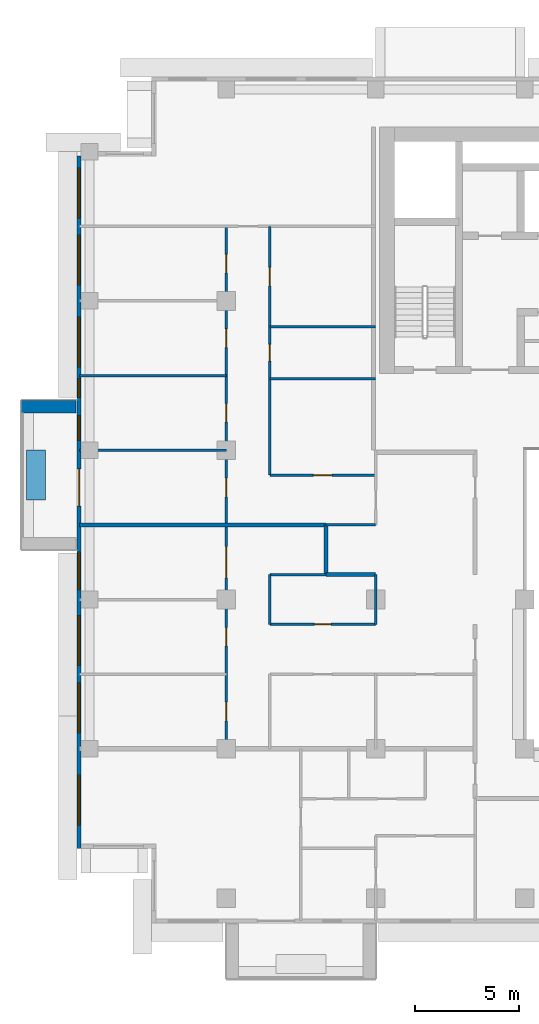
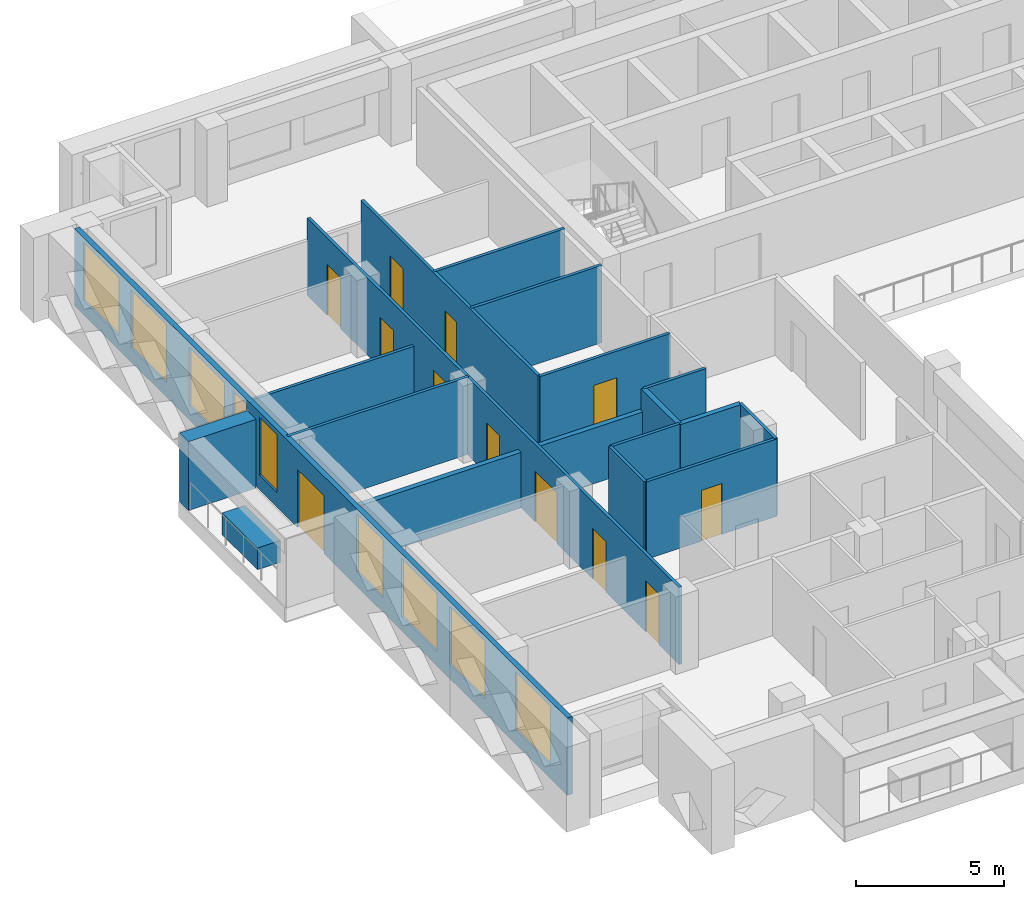
# One storey, part 7 of 20: 18 walls, 12 doors, 9 windows, 21 openings.
"""IFC4 building model written with IfcOpenShell, lengths in metres."""

from ifc_helpers import new_model, si_unit, direction, frame, frame_2d, origin, place, context, subcontext, project, spatial, rectangle, extrude, material, layer, layer_set, type_object, element, fill, save


model = new_model("IFC4")

# Units and contexts
model_context = context("Model", 3, precision=1e-05, world=origin(), true_north=direction((0.0, 1.0)))
body_context = subcontext(model_context, "Body", "Model", "MODEL_VIEW")
ifc_project = project(units=[si_unit("LENGTHUNIT", "METRE"), si_unit("AREAUNIT", "SQUARE_METRE"), si_unit("VOLUMEUNIT", "CUBIC_METRE"), si_unit("PLANEANGLEUNIT", "RADIAN"), si_unit("MASSUNIT", "GRAM", prefix="KILO")], contexts=[model_context])

# Site, building, storey
site_placement = place(None, origin())
site = spatial("IfcSite", under=ifc_project, at=site_placement, CompositionType="ELEMENT")
building_placement = place(site_placement, origin())
building = spatial("IfcBuilding", under=site, at=building_placement, Name="Saffron Iwan Residences", CompositionType="ELEMENT")
storey_placement = place(building_placement, frame((0.0, 0.0, 188.5)))
storey = spatial("IfcBuildingStorey", under=building, at=storey_placement, Name="L50", CompositionType="ELEMENT", Elevation=188.5)

# Walls
ifc_material_1 = material(Name="Concrete C50/60 white painted", Category="concrete")
ifc_layer_1 = layer(ifc_material_1, 0.60009765625)
ifc_layer_set_1 = layer_set([ifc_layer_1], Name="Concrete C50/60 white painted")
wall_type_1 = type_object("IfcWallType", Name="BALCONY FIN 600", PredefinedType="SOLIDWALL", material=ifc_layer_set_1)
wall_1_placement = place(storey_placement, frame((14.35009765625, 64.5, 0.0), z_axis=(0.0, 0.0, 1.0), x_axis=(-1.0, 0.0, 0.0)))
element("IfcWall", 1, at=wall_1_placement, inside=storey, type_object=wall_type_1, Name="Balcony fin L50 F8-0a", PredefinedType="SOLIDWALL", context=body_context, shape_type="SweptSolid", body=[
    extrude(rectangle(XDim=2.650146484375, YDim=0.60009765625, at=frame_2d((1.3251953125, 0.0))), origin(), (0.0, 0.0, 1.0), 2.85009765625),
])
ifc_material_2 = material(Name="Concrete C35/45 white painted", Category="concrete")
ifc_layer_2 = layer(ifc_material_2, 0.14990234375)
ifc_layer_set_2 = layer_set([ifc_layer_2], Name="Concrete C35/45 white painted")
wall_type_2 = type_object("IfcWallType", Name="BALCONY PLANTER", PredefinedType="SOLIDWALL", material=ifc_layer_set_2)
wall_2_placement = place(storey_placement, frame((12.425048828125, 62.39990234375, 0.0), z_axis=(0.0, 0.0, 1.0), x_axis=(0.0, -1.0, 0.0)))
element("IfcWall", 2, at=wall_2_placement, inside=storey, type_object=wall_type_2, Name="PLANTER L50 F8-0", PredefinedType="SOLIDWALL", context=body_context, shape_type="SweptSolid", body=[
    extrude(rectangle(XDim=2.39990234375, YDim=0.89990234375, at=frame_2d((1.199951171875, 0.0))), origin(), (0.0, 0.0, 1.0), 0.89990234375),
])

# Wall, openings, door, windows
ifc_material_3 = material(Name="Concrete C40/50", Category="concrete")
ifc_layer_3 = layer(ifc_material_3, 0.199951171875)
ifc_layer_set_3 = layer_set([ifc_layer_3], Name="Concrete C40/50")
wall_type_3 = type_object("IfcWallType", Name="EXTERNAL WALL 200", PredefinedType="SOLIDWALL", material=ifc_layer_set_3)
wall_3_placement = place(storey_placement, frame((14.5, 76.60009765625, 0.0), z_axis=(0.0, 0.0, 1.0), x_axis=(0.0, -1.0, 0.0)))
wall_3 = element("IfcWall", 3, at=wall_3_placement, inside=storey, type_object=wall_type_3, Name="External wall L50 F8.0", PredefinedType="SOLIDWALL", context=body_context, shape_type="SweptSolid", body=[
    extrude(rectangle(XDim=33.400146484375, YDim=0.199951171875, at=frame_2d((16.7001953125, 0.0))), origin(), (0.0, 0.0, 1.0), 3.199951171875),
])
opening_1_placement = place(wall_3_placement, frame((15.10009765625, 0.0, 0.0)))
opening_1 = element("IfcOpeningElement", 4, at=opening_1_placement, cuts=wall_3, Name="Opening BD1", PredefinedType="OPENING", context=body_context, shape_type="SweptSolid", body=[
    extrude(rectangle(XDim=1.800048828125, YDim=2.39990234375, at=frame_2d((0.89990234375, 1.199951171875))), frame((0.0, 0.10986328125, 0.0), z_axis=(0.0, -1.0, 0.0), x_axis=(1.0, 0.0, 0.0)), (0.0, 0.0, 1.0), 0.219970703125),
])
opening_2_placement = place(wall_3_placement, frame((29.875, 0.0, 0.60009765625)))
opening_2 = element("IfcOpeningElement", 5, at=opening_2_placement, cuts=wall_3, Name="Opening W1", PredefinedType="OPENING", context=body_context, shape_type="SweptSolid", body=[
    extrude(rectangle(XDim=2.39990234375, YDim=2.39990234375, at=frame_2d((1.199951171875, 1.199951171875))), frame((0.0, 0.10986328125, 0.0), z_axis=(0.0, -1.0, 0.0), x_axis=(1.0, 0.0, 0.0)), (0.0, 0.0, 1.0), 0.219970703125),
])
opening_3_placement = place(wall_3_placement, frame((25.425048828125, 0.0, 0.60009765625)))
opening_3 = element("IfcOpeningElement", 6, at=opening_3_placement, cuts=wall_3, Name="Opening W1", PredefinedType="OPENING", context=body_context, shape_type="SweptSolid", body=[
    extrude(rectangle(XDim=2.39990234375, YDim=2.39990234375, at=frame_2d((1.199951171875, 1.199951171875))), frame((0.0, 0.10986328125, 0.0), z_axis=(0.0, -1.0, 0.0), x_axis=(1.0, 0.0, 0.0)), (0.0, 0.0, 1.0), 0.219970703125),
])
opening_4_placement = place(wall_3_placement, frame((22.175048828125, 0.0, 0.60009765625)))
opening_4 = element("IfcOpeningElement", 7, at=opening_4_placement, cuts=wall_3, Name="Opening W1", PredefinedType="OPENING", context=body_context, shape_type="SweptSolid", body=[
    extrude(rectangle(XDim=2.39990234375, YDim=2.39990234375, at=frame_2d((1.199951171875, 1.199951171875))), frame((0.0, 0.10986328125, 0.0), z_axis=(0.0, -1.0, 0.0), x_axis=(1.0, 0.0, 0.0)), (0.0, 0.0, 1.0), 0.219970703125),
])
opening_5_placement = place(wall_3_placement, frame((19.125, 0.0, 0.60009765625)))
opening_5 = element("IfcOpeningElement", 8, at=opening_5_placement, cuts=wall_3, Name="Opening W8", PredefinedType="OPENING", context=body_context, shape_type="SweptSolid", body=[
    extrude(rectangle(XDim=1.800048828125, YDim=2.39990234375, at=frame_2d((0.89990234375, 1.199951171875))), frame((0.0, 0.10986328125, 0.0), z_axis=(0.0, -1.0, 0.0), x_axis=(1.0, 0.0, 0.0)), (0.0, 0.0, 1.0), 0.219970703125),
])
opening_6_placement = place(wall_3_placement, frame((10.75, 0.0, 0.60009765625)))
opening_6 = element("IfcOpeningElement", 9, at=opening_6_placement, cuts=wall_3, Name="Opening W10", PredefinedType="OPENING", context=body_context, shape_type="SweptSolid", body=[
    extrude(rectangle(XDim=0.89990234375, YDim=2.39990234375, at=frame_2d((0.449951171875, 1.199951171875))), frame((0.0, 0.10986328125, 0.0), z_axis=(0.0, -1.0, 0.0), x_axis=(1.0, 0.0, 0.0)), (0.0, 0.0, 1.0), 0.219970703125),
])
opening_7_placement = place(wall_3_placement, frame((12.52490234375, 0.0, 0.60009765625)))
opening_7 = element("IfcOpeningElement", 10, at=opening_7_placement, cuts=wall_3, Name="Opening W3", PredefinedType="OPENING", context=body_context, shape_type="SweptSolid", body=[
    extrude(rectangle(XDim=1.199951171875, YDim=2.39990234375, at=frame_2d((0.60009765625, 1.199951171875))), frame((0.0, 0.10986328125, 0.0), z_axis=(0.0, -1.0, 0.0), x_axis=(1.0, 0.0, 0.0)), (0.0, 0.0, 1.0), 0.219970703125),
])
opening_8_placement = place(wall_3_placement, frame((7.77490234375, 0.0, 0.60009765625)))
opening_8 = element("IfcOpeningElement", 11, at=opening_8_placement, cuts=wall_3, Name="Opening W1", PredefinedType="OPENING", context=body_context, shape_type="SweptSolid", body=[
    extrude(rectangle(XDim=2.39990234375, YDim=2.39990234375, at=frame_2d((1.199951171875, 1.199951171875))), frame((0.0, 0.10986328125, 0.0), z_axis=(0.0, -1.0, 0.0), x_axis=(1.0, 0.0, 0.0)), (0.0, 0.0, 1.0), 0.219970703125),
])
opening_9_placement = place(wall_3_placement, frame((3.824951171875, 0.0, 0.60009765625)))
opening_9 = element("IfcOpeningElement", 12, at=opening_9_placement, cuts=wall_3, Name="Opening W1", PredefinedType="OPENING", context=body_context, shape_type="SweptSolid", body=[
    extrude(rectangle(XDim=2.39990234375, YDim=2.39990234375, at=frame_2d((1.199951171875, 1.199951171875))), frame((0.0, 0.10986328125, 0.0), z_axis=(0.0, -1.0, 0.0), x_axis=(1.0, 0.0, 0.0)), (0.0, 0.0, 1.0), 0.219970703125),
])
opening_10_placement = place(wall_3_placement, frame((0.60009765625, 0.0, 0.60009765625)))
opening_10 = element("IfcOpeningElement", 13, at=opening_10_placement, cuts=wall_3, Name="Opening W1", PredefinedType="OPENING", context=body_context, shape_type="SweptSolid", body=[
    extrude(rectangle(XDim=2.39990234375, YDim=2.39990234375, at=frame_2d((1.199951171875, 1.199951171875))), frame((0.0, 0.10986328125, 0.0), z_axis=(0.0, -1.0, 0.0), x_axis=(1.0, 0.0, 0.0)), (0.0, 0.0, 1.0), 0.219970703125),
])
ifc_material_4 = material(Name="Clear glass, laminated double glazed", Category="glass")
door_type_1 = type_object("IfcDoorType", Name="BALCONY DOOR 1800 x 2400", OperationType="DOUBLE_DOOR_SLIDING", PredefinedType="DOOR", material=ifc_material_4)
door_1_placement = place(opening_1_placement, origin())
door_1 = element("IfcDoor", 14, at=door_1_placement, inside=storey, type_object=door_type_1, Name="Balcony door L50 F8.0", OperationType="DOUBLE_DOOR_SLIDING", OverallHeight=2.39990234375, OverallWidth=1.800048828125, PredefinedType="DOOR", context=body_context, shape_type="SweptSolid", body=[
    extrude(rectangle(XDim=1.800048828125, YDim=2.39990234375, at=frame_2d((0.89990234375, 1.199951171875))), frame((0.0, 0.02490234375, 0.0), z_axis=(0.0, -1.0, 0.0), x_axis=(1.0, 0.0, 0.0)), (0.0, 0.0, 1.0), 0.050048828125),
])
fill(opening_1, door_1)
window_type_1 = type_object("IfcWindowType", Name="WINDOW 1200 x 2400", PartitioningType="SINGLE_PANEL", PredefinedType="WINDOW", material=ifc_material_4)
window_1_placement = place(opening_7_placement, origin())
window_1 = element("IfcWindow", 15, at=window_1_placement, inside=storey, type_object=window_type_1, Name="Window L50 F8.6", OverallHeight=2.39990234375, OverallWidth=1.199951171875, PartitioningType="SINGLE_PANEL", PredefinedType="WINDOW", context=body_context, shape_type="SweptSolid", body=[
    extrude(rectangle(XDim=1.199951171875, YDim=2.39990234375, at=frame_2d((0.60009765625, 1.199951171875))), frame((0.0, 0.030029296875, 0.0), z_axis=(0.0, -1.0, 0.0), x_axis=(1.0, 0.0, 0.0)), (0.0, 0.0, 1.0), 0.06005859375),
])
fill(opening_7, window_1)
window_type_2 = type_object("IfcWindowType", Name="WINDOW 1800 x 2400", PartitioningType="DOUBLE_PANEL_VERTICAL", PredefinedType="WINDOW", material=ifc_material_4)
window_2_placement = place(opening_5_placement, origin())
window_2 = element("IfcWindow", 16, at=window_2_placement, inside=storey, type_object=window_type_2, Name="Window L50 F8.4", OverallHeight=2.39990234375, OverallWidth=1.800048828125, PartitioningType="DOUBLE_PANEL_VERTICAL", PredefinedType="WINDOW", context=body_context, shape_type="SweptSolid", body=[
    extrude(rectangle(XDim=1.800048828125, YDim=2.39990234375, at=frame_2d((0.89990234375, 1.199951171875))), frame((0.0, 0.030029296875, 0.0), z_axis=(0.0, -1.0, 0.0), x_axis=(1.0, 0.0, 0.0)), (0.0, 0.0, 1.0), 0.06005859375),
])
fill(opening_5, window_2)
window_type_3 = type_object("IfcWindowType", Name="WINDOW 2400 x 2400", PartitioningType="DOUBLE_PANEL_VERTICAL", PredefinedType="WINDOW", material=ifc_material_4)
window_3_placement = place(opening_2_placement, origin())
window_3 = element("IfcWindow", 17, at=window_3_placement, inside=storey, type_object=window_type_3, Name="Window L50 F8.1", OverallHeight=2.39990234375, OverallWidth=2.39990234375, PartitioningType="DOUBLE_PANEL_VERTICAL", PredefinedType="WINDOW", context=body_context, shape_type="SweptSolid", body=[
    extrude(rectangle(XDim=2.39990234375, YDim=2.39990234375, at=frame_2d((1.199951171875, 1.199951171875))), frame((0.0, 0.030029296875, 0.0), z_axis=(0.0, -1.0, 0.0), x_axis=(1.0, 0.0, 0.0)), (0.0, 0.0, 1.0), 0.06005859375),
])
fill(opening_2, window_3)
window_4_placement = place(opening_3_placement, origin())
window_4 = element("IfcWindow", 18, at=window_4_placement, inside=storey, type_object=window_type_3, Name="Window L50 F8.2", OverallHeight=2.39990234375, OverallWidth=2.39990234375, PartitioningType="DOUBLE_PANEL_VERTICAL", PredefinedType="WINDOW", context=body_context, shape_type="SweptSolid", body=[
    extrude(rectangle(XDim=2.39990234375, YDim=2.39990234375, at=frame_2d((1.199951171875, 1.199951171875))), frame((0.0, 0.030029296875, 0.0), z_axis=(0.0, -1.0, 0.0), x_axis=(1.0, 0.0, 0.0)), (0.0, 0.0, 1.0), 0.06005859375),
])
fill(opening_3, window_4)
window_5_placement = place(opening_4_placement, origin())
window_5 = element("IfcWindow", 19, at=window_5_placement, inside=storey, type_object=window_type_3, Name="Window L50 F8.3", OverallHeight=2.39990234375, OverallWidth=2.39990234375, PartitioningType="DOUBLE_PANEL_VERTICAL", PredefinedType="WINDOW", context=body_context, shape_type="SweptSolid", body=[
    extrude(rectangle(XDim=2.39990234375, YDim=2.39990234375, at=frame_2d((1.199951171875, 1.199951171875))), frame((0.0, 0.030029296875, 0.0), z_axis=(0.0, -1.0, 0.0), x_axis=(1.0, 0.0, 0.0)), (0.0, 0.0, 1.0), 0.06005859375),
])
fill(opening_4, window_5)
window_6_placement = place(opening_8_placement, origin())
window_6 = element("IfcWindow", 20, at=window_6_placement, inside=storey, type_object=window_type_3, Name="Window L50 F8.7", OverallHeight=2.39990234375, OverallWidth=2.39990234375, PartitioningType="DOUBLE_PANEL_VERTICAL", PredefinedType="WINDOW", context=body_context, shape_type="SweptSolid", body=[
    extrude(rectangle(XDim=2.39990234375, YDim=2.39990234375, at=frame_2d((1.199951171875, 1.199951171875))), frame((0.0, 0.030029296875, 0.0), z_axis=(0.0, -1.0, 0.0), x_axis=(1.0, 0.0, 0.0)), (0.0, 0.0, 1.0), 0.06005859375),
])
fill(opening_8, window_6)
window_7_placement = place(opening_9_placement, origin())
window_7 = element("IfcWindow", 21, at=window_7_placement, inside=storey, type_object=window_type_3, Name="Window L50 F8.8", OverallHeight=2.39990234375, OverallWidth=2.39990234375, PartitioningType="DOUBLE_PANEL_VERTICAL", PredefinedType="WINDOW", context=body_context, shape_type="SweptSolid", body=[
    extrude(rectangle(XDim=2.39990234375, YDim=2.39990234375, at=frame_2d((1.199951171875, 1.199951171875))), frame((0.0, 0.030029296875, 0.0), z_axis=(0.0, -1.0, 0.0), x_axis=(1.0, 0.0, 0.0)), (0.0, 0.0, 1.0), 0.06005859375),
])
fill(opening_9, window_7)
window_8_placement = place(opening_10_placement, origin())
window_8 = element("IfcWindow", 22, at=window_8_placement, inside=storey, type_object=window_type_3, Name="Window L50 F8.9", OverallHeight=2.39990234375, OverallWidth=2.39990234375, PartitioningType="DOUBLE_PANEL_VERTICAL", PredefinedType="WINDOW", context=body_context, shape_type="SweptSolid", body=[
    extrude(rectangle(XDim=2.39990234375, YDim=2.39990234375, at=frame_2d((1.199951171875, 1.199951171875))), frame((0.0, 0.030029296875, 0.0), z_axis=(0.0, -1.0, 0.0), x_axis=(1.0, 0.0, 0.0)), (0.0, 0.0, 1.0), 0.06005859375),
])
fill(opening_10, window_8)
window_type_4 = type_object("IfcWindowType", Name="WINDOW 900 x 2400", PartitioningType="SINGLE_PANEL", PredefinedType="WINDOW", material=ifc_material_4)
window_9_placement = place(opening_6_placement, origin())
window_9 = element("IfcWindow", 23, at=window_9_placement, inside=storey, type_object=window_type_4, Name="Window L50 F8.5", OverallHeight=2.39990234375, OverallWidth=0.89990234375, PartitioningType="SINGLE_PANEL", PredefinedType="WINDOW", context=body_context, shape_type="SweptSolid", body=[
    extrude(rectangle(XDim=0.89990234375, YDim=2.39990234375, at=frame_2d((0.449951171875, 1.199951171875))), frame((0.0, 0.030029296875, 0.0), z_axis=(0.0, -1.0, 0.0), x_axis=(1.0, 0.0, 0.0)), (0.0, 0.0, 1.0), 0.06005859375),
])
fill(opening_6, window_9)

# Walls
ifc_material_5 = material(Name="Fire-rated gypsum board wall")
ifc_layer_4 = layer(ifc_material_5, 0.199951171875)
ifc_layer_set_4 = layer_set([ifc_layer_4], Name="Fire-rated gypsum board wall")
wall_type_4 = type_object("IfcWallType", Name="Flat demising wall 200", PredefinedType="SOLIDWALL", material=ifc_layer_set_4)
wall_4_placement = place(storey_placement, frame((26.39990234375, 56.39990234375, 0.0), z_axis=(0.0, 0.0, 1.0), x_axis=(1.0, 0.0, 0.0)))
element("IfcWall", 24, at=wall_4_placement, inside=storey, type_object=wall_type_4, Name="W-L50-DEMISE-h56.4-26.4", PredefinedType="SOLIDWALL", context=body_context, shape_type="SweptSolid", body=[
    extrude(rectangle(XDim=2.400146484375, YDim=0.199951171875, at=frame_2d((1.2001953125, 0.0))), origin(), (0.0, 0.0, 1.0), 3.199951171875),
])
wall_5_placement = place(storey_placement, frame((14.52490234375, 58.800048828125, 0.0), z_axis=(0.0, 0.0, 1.0), x_axis=(1.0, 0.0, 0.0)))
element("IfcWall", 25, at=wall_5_placement, inside=storey, type_object=wall_type_4, Name="W-L50-DEMISE-h58.8-14.525", PredefinedType="SOLIDWALL", context=body_context, shape_type="SweptSolid", body=[
    extrude(rectangle(XDim=11.875, YDim=0.199951171875, at=frame_2d((5.9375, 0.0))), origin(), (0.0, 0.0, 1.0), 2.300048828125),
])
wall_6_placement = place(storey_placement, frame((26.39990234375, 56.39990234375, 0.0), z_axis=(0.0, 0.0, 1.0), x_axis=(0.0, 1.0, 0.0)))
element("IfcWall", 26, at=wall_6_placement, inside=storey, type_object=wall_type_4, Name="W-L50-DEMISE-v26.4-56.4", PredefinedType="SOLIDWALL", context=body_context, shape_type="SweptSolid", body=[
    extrude(rectangle(XDim=2.400146484375, YDim=0.199951171875, at=frame_2d((1.2001953125, 0.0))), origin(), (0.0, 0.0, 1.0), 3.199951171875),
])

# Wall, opening, door
ifc_material_6 = material(Name="Gypsum board partition")
ifc_layer_5 = layer(ifc_material_6, 0.1201171875)
ifc_layer_set_5 = layer_set([ifc_layer_5], Name="Gypsum board partition")
wall_type_5 = type_object("IfcWallType", Name="Flat partition 120", PredefinedType="PARTITIONING", material=ifc_layer_set_5)
wall_7_placement = place(storey_placement, frame((23.699951171875, 54.0, 0.0), z_axis=(0.0, 0.0, 1.0), x_axis=(1.0, 0.0, 0.0)))
wall_7 = element("IfcWall", 27, at=wall_7_placement, inside=storey, type_object=wall_type_5, Name="W-L50-PART-h54-23.7", PredefinedType="PARTITIONING", context=body_context, shape_type="SweptSolid", body=[
    extrude(rectangle(XDim=5.10009765625, YDim=0.1201171875, at=frame_2d((2.550048828125, 0.0))), origin(), (0.0, 0.0, 1.0), 3.199951171875),
])
opening_11_placement = place(wall_7_placement, frame((2.14990234375, 0.0, 0.0)))
opening_11 = element("IfcOpeningElement", 28, at=opening_11_placement, cuts=wall_7, Name="Opening FD3", PredefinedType="OPENING", context=body_context, shape_type="SweptSolid", body=[
    extrude(rectangle(XDim=0.800048828125, YDim=2.10009765625, at=frame_2d((0.39990234375, 1.050048828125))), frame((0.0, 0.070068359375, 0.0), z_axis=(0.0, -1.0, 0.0), x_axis=(1.0, 0.0, 0.0)), (0.0, 0.0, 1.0), 0.14013671875),
])
ifc_material_7 = material(Name="Timber door", Category="wood")
door_type_2 = type_object("IfcDoorType", Name="Bathroom door 800", OperationType="NOTDEFINED", PredefinedType="DOOR", material=ifc_material_7)
door_2_placement = place(opening_11_placement, origin())
door_2 = element("IfcDoor", 29, at=door_2_placement, inside=storey, type_object=door_type_2, Name="Door L50-013", OperationType="SINGLE_SWING_LEFT", OverallHeight=2.10009765625, OverallWidth=0.800048828125, PredefinedType="DOOR", context=body_context, shape_type="SweptSolid", body=[
    extrude(rectangle(XDim=0.800048828125, YDim=2.10009765625, at=frame_2d((0.39990234375, 1.050048828125))), frame((0.0, 0.02490234375, 0.0), z_axis=(0.0, -1.0, 0.0), x_axis=(1.0, 0.0, 0.0)), (0.0, 0.0, 1.0), 0.050048828125),
])
fill(opening_11, door_2)

# Walls
wall_8_placement = place(storey_placement, frame((23.699951171875, 56.39990234375, 0.0), z_axis=(0.0, 0.0, 1.0), x_axis=(1.0, 0.0, 0.0)))
element("IfcWall", 30, at=wall_8_placement, inside=storey, type_object=wall_type_5, Name="W-L50-PART-h56.4-23.7", PredefinedType="PARTITIONING", context=body_context, shape_type="SweptSolid", body=[
    extrude(rectangle(XDim=2.699951171875, YDim=0.1201171875, at=frame_2d((1.35009765625, 0.0))), origin(), (0.0, 0.0, 1.0), 3.199951171875),
])
wall_9_placement = place(storey_placement, frame((26.39990234375, 58.800048828125, 0.0), z_axis=(0.0, 0.0, 1.0), x_axis=(1.0, 0.0, 0.0)))
element("IfcWall", 31, at=wall_9_placement, inside=storey, type_object=wall_type_5, Name="W-L50-PART-h58.8-26.4", PredefinedType="PARTITIONING", context=body_context, shape_type="SweptSolid", body=[
    extrude(rectangle(XDim=2.400146484375, YDim=0.1201171875, at=frame_2d((1.2001953125, 0.0))), origin(), (0.0, 0.0, 1.0), 3.199951171875),
])

# Wall, opening, door
wall_10_placement = place(storey_placement, frame((23.699951171875, 61.199951171875, 0.0), z_axis=(0.0, 0.0, 1.0), x_axis=(1.0, 0.0, 0.0)))
wall_10 = element("IfcWall", 32, at=wall_10_placement, inside=storey, type_object=wall_type_5, Name="W-L50-PART-h61.2-23.7", PredefinedType="PARTITIONING", context=body_context, shape_type="SweptSolid", body=[
    extrude(rectangle(XDim=5.10009765625, YDim=0.1201171875, at=frame_2d((2.550048828125, 0.0))), origin(), (0.0, 0.0, 1.0), 3.199951171875),
])
opening_12_placement = place(wall_10_placement, frame((2.10009765625, 0.0, 0.0)))
opening_12 = element("IfcOpeningElement", 33, at=opening_12_placement, cuts=wall_10, Name="Opening FD2", PredefinedType="OPENING", context=body_context, shape_type="SweptSolid", body=[
    extrude(rectangle(XDim=0.89990234375, YDim=2.10009765625, at=frame_2d((0.449951171875, 1.050048828125))), frame((0.0, 0.070068359375, 0.0), z_axis=(0.0, -1.0, 0.0), x_axis=(1.0, 0.0, 0.0)), (0.0, 0.0, 1.0), 0.14013671875),
])
door_type_3 = type_object("IfcDoorType", Name="Flat door 900", OperationType="NOTDEFINED", PredefinedType="DOOR", material=ifc_material_7)
door_3_placement = place(opening_12_placement, origin())
door_3 = element("IfcDoor", 34, at=door_3_placement, inside=storey, type_object=door_type_3, Name="Door L50-031", OperationType="SINGLE_SWING_LEFT", OverallHeight=2.10009765625, OverallWidth=0.89990234375, PredefinedType="DOOR", context=body_context, shape_type="SweptSolid", body=[
    extrude(rectangle(XDim=0.89990234375, YDim=2.10009765625, at=frame_2d((0.449951171875, 1.050048828125))), frame((0.0, 0.02490234375, 0.0), z_axis=(0.0, -1.0, 0.0), x_axis=(1.0, 0.0, 0.0)), (0.0, 0.0, 1.0), 0.050048828125),
])
fill(opening_12, door_3)

# Walls
wall_11_placement = place(storey_placement, frame((14.52490234375, 62.39990234375, 0.0), z_axis=(0.0, 0.0, 1.0), x_axis=(1.0, 0.0, 0.0)))
element("IfcWall", 35, at=wall_11_placement, inside=storey, type_object=wall_type_5, Name="W-L50-PART-h62.4-14.525", PredefinedType="PARTITIONING", context=body_context, shape_type="SweptSolid", body=[
    extrude(rectangle(XDim=7.0751953125, YDim=0.1201171875, at=frame_2d((3.53759765625, 0.0))), origin(), (0.0, 0.0, 1.0), 3.199951171875),
])
wall_12_placement = place(storey_placement, frame((23.699951171875, 65.85009765625, 0.0), z_axis=(0.0, 0.0, 1.0), x_axis=(1.0, 0.0, 0.0)))
element("IfcWall", 36, at=wall_12_placement, inside=storey, type_object=wall_type_5, Name="W-L50-PART-h65.85-23.7", PredefinedType="PARTITIONING", context=body_context, shape_type="SweptSolid", body=[
    extrude(rectangle(XDim=5.10009765625, YDim=0.1201171875, at=frame_2d((2.550048828125, 0.0))), origin(), (0.0, 0.0, 1.0), 3.199951171875),
])
wall_13_placement = place(storey_placement, frame((14.52490234375, 66.0, 0.0), z_axis=(0.0, 0.0, 1.0), x_axis=(1.0, 0.0, 0.0)))
element("IfcWall", 37, at=wall_13_placement, inside=storey, type_object=wall_type_5, Name="W-L50-PART-h66-14.525", PredefinedType="PARTITIONING", context=body_context, shape_type="SweptSolid", body=[
    extrude(rectangle(XDim=7.0751953125, YDim=0.1201171875, at=frame_2d((3.53759765625, 0.0))), origin(), (0.0, 0.0, 1.0), 2.300048828125),
])
wall_14_placement = place(storey_placement, frame((23.699951171875, 68.35009765625, 0.0), z_axis=(0.0, 0.0, 1.0), x_axis=(1.0, 0.0, 0.0)))
element("IfcWall", 38, at=wall_14_placement, inside=storey, type_object=wall_type_5, Name="W-L50-PART-h68.35-23.7", PredefinedType="PARTITIONING", context=body_context, shape_type="SweptSolid", body=[
    extrude(rectangle(XDim=5.10009765625, YDim=0.1201171875, at=frame_2d((2.550048828125, 0.0))), origin(), (0.0, 0.0, 1.0), 3.199951171875),
])

# Wall, openings, doors
wall_15_placement = place(storey_placement, frame((21.60009765625, 48.0, 0.0), z_axis=(0.0, 0.0, 1.0), x_axis=(0.0, 1.0, 0.0)))
wall_15 = element("IfcWall", 39, at=wall_15_placement, inside=storey, type_object=wall_type_5, Name="W-L50-PART-v21.6-48", PredefinedType="PARTITIONING", context=body_context, shape_type="SweptSolid", body=[
    extrude(rectangle(XDim=25.199951171875, YDim=0.1201171875, at=frame_2d((12.60009765625, 0.0))), origin(), (0.0, 0.0, 1.0), 3.199951171875),
])
opening_13_placement = place(wall_15_placement, frame((1.35009765625, 0.0, 0.0)))
opening_13 = element("IfcOpeningElement", 40, at=opening_13_placement, cuts=wall_15, Name="Opening FD2", PredefinedType="OPENING", context=body_context, shape_type="SweptSolid", body=[
    extrude(rectangle(XDim=0.89990234375, YDim=2.10009765625, at=frame_2d((0.449951171875, 1.050048828125))), frame((0.0, 0.070068359375, 0.0), z_axis=(0.0, -1.0, 0.0), x_axis=(1.0, 0.0, 0.0)), (0.0, 0.0, 1.0), 0.14013671875),
])
opening_14_placement = place(wall_15_placement, frame((4.949951171875, 0.0, 0.0)))
opening_14 = element("IfcOpeningElement", 41, at=opening_14_placement, cuts=wall_15, Name="Opening FD2", PredefinedType="OPENING", context=body_context, shape_type="SweptSolid", body=[
    extrude(rectangle(XDim=0.89990234375, YDim=2.10009765625, at=frame_2d((0.449951171875, 1.050048828125))), frame((0.0, 0.070068359375, 0.0), z_axis=(0.0, -1.0, 0.0), x_axis=(1.0, 0.0, 0.0)), (0.0, 0.0, 1.0), 0.14013671875),
])
opening_15_placement = place(wall_15_placement, frame((8.25, 0.0, 0.0)))
opening_15 = element("IfcOpeningElement", 42, at=opening_15_placement, cuts=wall_15, Name="Opening FD4", PredefinedType="OPENING", context=body_context, shape_type="SweptSolid", body=[
    extrude(rectangle(XDim=1.5, YDim=2.10009765625, at=frame_2d((0.75, 1.050048828125))), frame((0.0, 0.070068359375, 0.0), z_axis=(0.0, -1.0, 0.0), x_axis=(1.0, 0.0, 0.0)), (0.0, 0.0, 1.0), 0.14013671875),
])
opening_16_placement = place(wall_15_placement, frame((12.14990234375, 0.0, 0.0)))
opening_16 = element("IfcOpeningElement", 43, at=opening_16_placement, cuts=wall_15, Name="Opening FD2", PredefinedType="OPENING", context=body_context, shape_type="SweptSolid", body=[
    extrude(rectangle(XDim=0.89990234375, YDim=2.10009765625, at=frame_2d((0.449951171875, 1.050048828125))), frame((0.0, 0.070068359375, 0.0), z_axis=(0.0, -1.0, 0.0), x_axis=(1.0, 0.0, 0.0)), (0.0, 0.0, 1.0), 0.14013671875),
])
opening_17_placement = place(wall_15_placement, frame((15.75, 0.0, 0.0)))
opening_17 = element("IfcOpeningElement", 44, at=opening_17_placement, cuts=wall_15, Name="Opening FD2", PredefinedType="OPENING", context=body_context, shape_type="SweptSolid", body=[
    extrude(rectangle(XDim=0.89990234375, YDim=2.10009765625, at=frame_2d((0.449951171875, 1.050048828125))), frame((0.0, 0.070068359375, 0.0), z_axis=(0.0, -1.0, 0.0), x_axis=(1.0, 0.0, 0.0)), (0.0, 0.0, 1.0), 0.14013671875),
])
opening_18_placement = place(wall_15_placement, frame((19.35009765625, 0.0, 0.0)))
opening_18 = element("IfcOpeningElement", 45, at=opening_18_placement, cuts=wall_15, Name="Opening FD2", PredefinedType="OPENING", context=body_context, shape_type="SweptSolid", body=[
    extrude(rectangle(XDim=0.89990234375, YDim=2.10009765625, at=frame_2d((0.449951171875, 1.050048828125))), frame((0.0, 0.070068359375, 0.0), z_axis=(0.0, -1.0, 0.0), x_axis=(1.0, 0.0, 0.0)), (0.0, 0.0, 1.0), 0.14013671875),
])
opening_19_placement = place(wall_15_placement, frame((22.949951171875, 0.0, 0.0)))
opening_19 = element("IfcOpeningElement", 46, at=opening_19_placement, cuts=wall_15, Name="Opening FD2", PredefinedType="OPENING", context=body_context, shape_type="SweptSolid", body=[
    extrude(rectangle(XDim=0.89990234375, YDim=2.10009765625, at=frame_2d((0.449951171875, 1.050048828125))), frame((0.0, 0.070068359375, 0.0), z_axis=(0.0, -1.0, 0.0), x_axis=(1.0, 0.0, 0.0)), (0.0, 0.0, 1.0), 0.14013671875),
])
door_type_4 = type_object("IfcDoorType", Name="Double door 1500", OperationType="NOTDEFINED", PredefinedType="DOOR", material=ifc_material_7)
door_4_placement = place(opening_15_placement, origin())
door_4 = element("IfcDoor", 47, at=door_4_placement, inside=storey, type_object=door_type_4, Name="Door L50-011", OperationType="SINGLE_SWING_RIGHT", OverallHeight=2.10009765625, OverallWidth=1.5, PredefinedType="DOOR", context=body_context, shape_type="SweptSolid", body=[
    extrude(rectangle(XDim=1.5, YDim=2.10009765625, at=frame_2d((0.75, 1.050048828125))), frame((0.0, 0.02490234375, 0.0), z_axis=(0.0, -1.0, 0.0), x_axis=(1.0, 0.0, 0.0)), (0.0, 0.0, 1.0), 0.050048828125),
])
fill(opening_15, door_4)
door_5_placement = place(opening_13_placement, origin())
door_5 = element("IfcDoor", 48, at=door_5_placement, inside=storey, type_object=door_type_3, Name="Door L50-009", OperationType="SINGLE_SWING_LEFT", OverallHeight=2.10009765625, OverallWidth=0.89990234375, PredefinedType="DOOR", context=body_context, shape_type="SweptSolid", body=[
    extrude(rectangle(XDim=0.89990234375, YDim=2.10009765625, at=frame_2d((0.449951171875, 1.050048828125))), frame((0.0, 0.02490234375, 0.0), z_axis=(0.0, -1.0, 0.0), x_axis=(1.0, 0.0, 0.0)), (0.0, 0.0, 1.0), 0.050048828125),
])
fill(opening_13, door_5)
door_6_placement = place(opening_14_placement, origin())
door_6 = element("IfcDoor", 49, at=door_6_placement, inside=storey, type_object=door_type_3, Name="Door L50-010", OperationType="SINGLE_SWING_LEFT", OverallHeight=2.10009765625, OverallWidth=0.89990234375, PredefinedType="DOOR", context=body_context, shape_type="SweptSolid", body=[
    extrude(rectangle(XDim=0.89990234375, YDim=2.10009765625, at=frame_2d((0.449951171875, 1.050048828125))), frame((0.0, 0.02490234375, 0.0), z_axis=(0.0, -1.0, 0.0), x_axis=(1.0, 0.0, 0.0)), (0.0, 0.0, 1.0), 0.050048828125),
])
fill(opening_14, door_6)
door_7_placement = place(opening_16_placement, origin())
door_7 = element("IfcDoor", 50, at=door_7_placement, inside=storey, type_object=door_type_3, Name="Door L50-026", OperationType="SINGLE_SWING_RIGHT", OverallHeight=2.10009765625, OverallWidth=0.89990234375, PredefinedType="DOOR", context=body_context, shape_type="SweptSolid", body=[
    extrude(rectangle(XDim=0.89990234375, YDim=2.10009765625, at=frame_2d((0.449951171875, 1.050048828125))), frame((0.0, 0.02490234375, 0.0), z_axis=(0.0, -1.0, 0.0), x_axis=(1.0, 0.0, 0.0)), (0.0, 0.0, 1.0), 0.050048828125),
])
fill(opening_16, door_7)
door_8_placement = place(opening_17_placement, origin())
door_8 = element("IfcDoor", 51, at=door_8_placement, inside=storey, type_object=door_type_3, Name="Door L50-027", OperationType="SINGLE_SWING_LEFT", OverallHeight=2.10009765625, OverallWidth=0.89990234375, PredefinedType="DOOR", context=body_context, shape_type="SweptSolid", body=[
    extrude(rectangle(XDim=0.89990234375, YDim=2.10009765625, at=frame_2d((0.449951171875, 1.050048828125))), frame((0.0, 0.02490234375, 0.0), z_axis=(0.0, -1.0, 0.0), x_axis=(1.0, 0.0, 0.0)), (0.0, 0.0, 1.0), 0.050048828125),
])
fill(opening_17, door_8)
door_9_placement = place(opening_18_placement, origin())
door_9 = element("IfcDoor", 52, at=door_9_placement, inside=storey, type_object=door_type_3, Name="Door L50-028", OperationType="SINGLE_SWING_LEFT", OverallHeight=2.10009765625, OverallWidth=0.89990234375, PredefinedType="DOOR", context=body_context, shape_type="SweptSolid", body=[
    extrude(rectangle(XDim=0.89990234375, YDim=2.10009765625, at=frame_2d((0.449951171875, 1.050048828125))), frame((0.0, 0.02490234375, 0.0), z_axis=(0.0, -1.0, 0.0), x_axis=(1.0, 0.0, 0.0)), (0.0, 0.0, 1.0), 0.050048828125),
])
fill(opening_18, door_9)
door_10_placement = place(opening_19_placement, origin())
door_10 = element("IfcDoor", 53, at=door_10_placement, inside=storey, type_object=door_type_3, Name="Door L50-029", OperationType="SINGLE_SWING_RIGHT", OverallHeight=2.10009765625, OverallWidth=0.89990234375, PredefinedType="DOOR", context=body_context, shape_type="SweptSolid", body=[
    extrude(rectangle(XDim=0.89990234375, YDim=2.10009765625, at=frame_2d((0.449951171875, 1.050048828125))), frame((0.0, 0.02490234375, 0.0), z_axis=(0.0, -1.0, 0.0), x_axis=(1.0, 0.0, 0.0)), (0.0, 0.0, 1.0), 0.050048828125),
])
fill(opening_19, door_10)

# Wall
wall_16_placement = place(storey_placement, frame((23.699951171875, 54.0, 0.0), z_axis=(0.0, 0.0, 1.0), x_axis=(0.0, 1.0, 0.0)))
element("IfcWall", 54, at=wall_16_placement, inside=storey, type_object=wall_type_5, Name="W-L50-PART-v23.7-54", PredefinedType="PARTITIONING", context=body_context, shape_type="SweptSolid", body=[
    extrude(rectangle(XDim=2.39990234375, YDim=0.1201171875, at=frame_2d((1.199951171875, 0.0))), origin(), (0.0, 0.0, 1.0), 3.199951171875),
])

# Wall, openings, doors
wall_17_placement = place(storey_placement, frame((23.699951171875, 61.199951171875, 0.0), z_axis=(0.0, 0.0, 1.0), x_axis=(0.0, 1.0, 0.0)))
wall_17 = element("IfcWall", 55, at=wall_17_placement, inside=storey, type_object=wall_type_5, Name="W-L50-PART-v23.7-61.2", PredefinedType="PARTITIONING", context=body_context, shape_type="SweptSolid", body=[
    extrude(rectangle(XDim=12.0, YDim=0.1201171875, at=frame_2d((6.0, 0.0))), origin(), (0.0, 0.0, 1.0), 3.199951171875),
])
opening_20_placement = place(wall_17_placement, frame((5.5, 0.0, 0.0)))
opening_20 = element("IfcOpeningElement", 56, at=opening_20_placement, cuts=wall_17, Name="Opening FD3", PredefinedType="OPENING", context=body_context, shape_type="SweptSolid", body=[
    extrude(rectangle(XDim=0.800048828125, YDim=2.10009765625, at=frame_2d((0.39990234375, 1.050048828125))), frame((0.0, 0.070068359375, 0.0), z_axis=(0.0, -1.0, 0.0), x_axis=(1.0, 0.0, 0.0)), (0.0, 0.0, 1.0), 0.14013671875),
])
opening_21_placement = place(wall_17_placement, frame((9.125, 0.0, 0.0)))
opening_21 = element("IfcOpeningElement", 57, at=opening_21_placement, cuts=wall_17, Name="Opening FD2", PredefinedType="OPENING", context=body_context, shape_type="SweptSolid", body=[
    extrude(rectangle(XDim=0.89990234375, YDim=2.10009765625, at=frame_2d((0.449951171875, 1.050048828125))), frame((0.0, 0.070068359375, 0.0), z_axis=(0.0, -1.0, 0.0), x_axis=(1.0, 0.0, 0.0)), (0.0, 0.0, 1.0), 0.14013671875),
])
door_11_placement = place(opening_20_placement, origin())
door_11 = element("IfcDoor", 58, at=door_11_placement, inside=storey, type_object=door_type_2, Name="Door L50-032", OperationType="SINGLE_SWING_RIGHT", OverallHeight=2.10009765625, OverallWidth=0.800048828125, PredefinedType="DOOR", context=body_context, shape_type="SweptSolid", body=[
    extrude(rectangle(XDim=0.800048828125, YDim=2.10009765625, at=frame_2d((0.39990234375, 1.050048828125))), frame((0.0, 0.02490234375, 0.0), z_axis=(0.0, -1.0, 0.0), x_axis=(1.0, 0.0, 0.0)), (0.0, 0.0, 1.0), 0.050048828125),
])
fill(opening_20, door_11)
door_12_placement = place(opening_21_placement, origin())
door_12 = element("IfcDoor", 59, at=door_12_placement, inside=storey, type_object=door_type_3, Name="Door L50-033", OperationType="SINGLE_SWING_LEFT", OverallHeight=2.10009765625, OverallWidth=0.89990234375, PredefinedType="DOOR", context=body_context, shape_type="SweptSolid", body=[
    extrude(rectangle(XDim=0.89990234375, YDim=2.10009765625, at=frame_2d((0.449951171875, 1.050048828125))), frame((0.0, 0.02490234375, 0.0), z_axis=(0.0, -1.0, 0.0), x_axis=(1.0, 0.0, 0.0)), (0.0, 0.0, 1.0), 0.050048828125),
])
fill(opening_21, door_12)

# Wall
wall_18_placement = place(storey_placement, frame((28.800048828125, 54.0, 0.0), z_axis=(0.0, 0.0, 1.0), x_axis=(0.0, 1.0, 0.0)))
element("IfcWall", 60, at=wall_18_placement, inside=storey, type_object=wall_type_5, Name="W-L50-PART-v28.8-54", PredefinedType="PARTITIONING", context=body_context, shape_type="SweptSolid", body=[
    extrude(rectangle(XDim=2.39990234375, YDim=0.1201171875, at=frame_2d((1.199951171875, 0.0))), origin(), (0.0, 0.0, 1.0), 3.199951171875),
])

save(model, "model.ifc")
